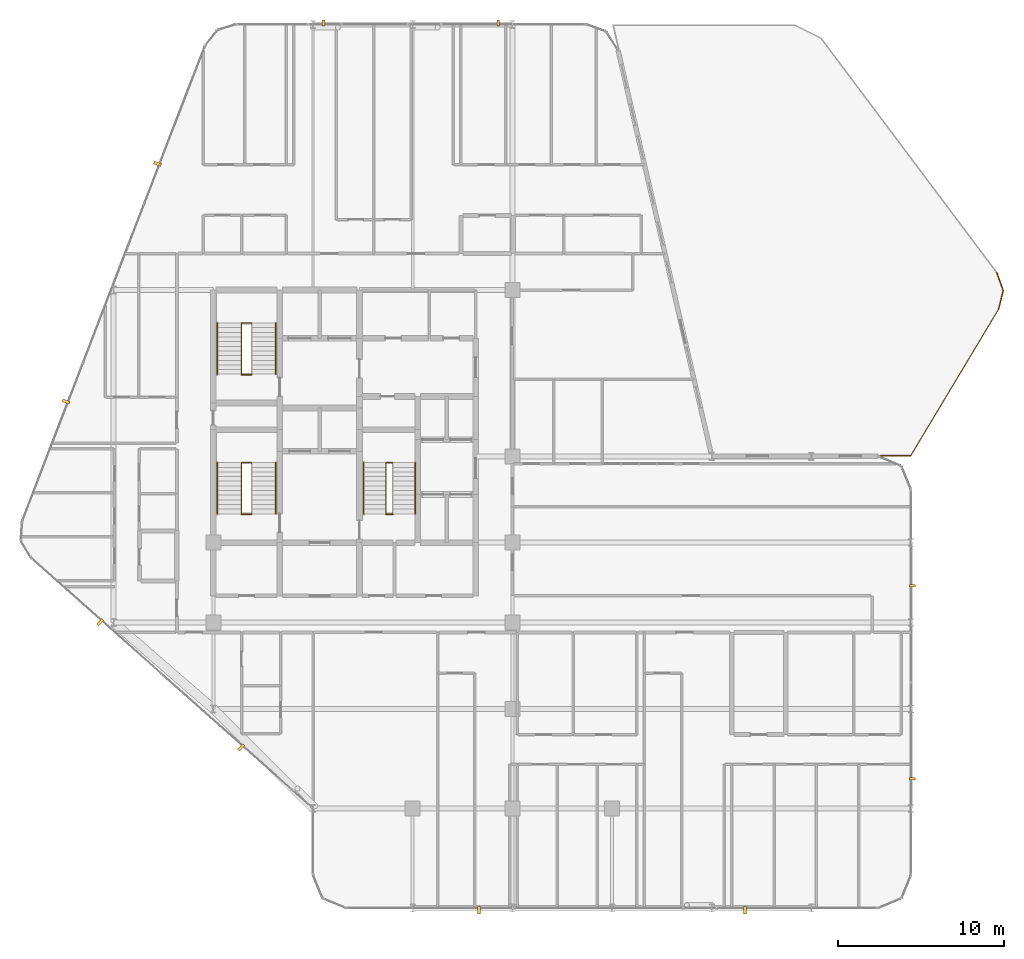
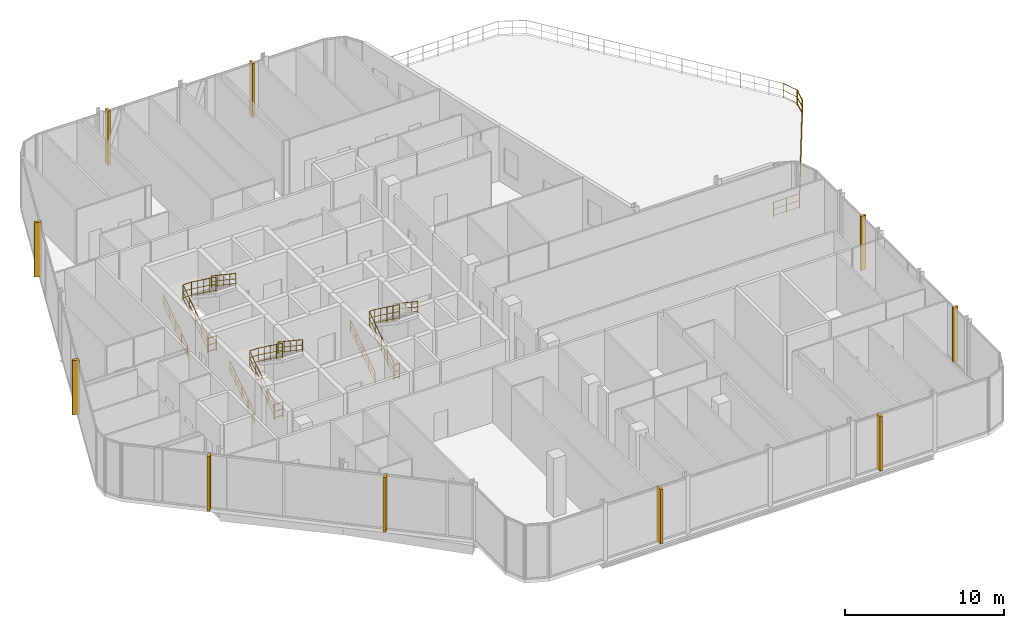
# One storey, part 27 of 28: 16 railings, 10 coverings.
"""IFC4 building model written with IfcOpenShell, lengths in metres."""

from ifc_helpers import new_model, si_unit, direction, frame, origin, origin_2d, place, context, subcontext, project, spatial, rectangle, circle, extrude, material, layer, layer_set, type_object, element, save


model = new_model("IFC4")

# Units and contexts
model_context = context("Model", 3, precision=1e-05, world=origin(), true_north=direction((0.0, 1.0)))
body_context = subcontext(model_context, "Body", "Model", "MODEL_VIEW")
ifc_project = project(units=[si_unit("LENGTHUNIT", "METRE"), si_unit("AREAUNIT", "SQUARE_METRE"), si_unit("VOLUMEUNIT", "CUBIC_METRE"), si_unit("PLANEANGLEUNIT", "RADIAN"), si_unit("MASSUNIT", "GRAM", prefix="KILO")], contexts=[model_context])

# Site, building, storey
site_placement = place(None, origin())
site = spatial("IfcSite", under=ifc_project, at=site_placement, CompositionType="ELEMENT")
building_placement = place(site_placement, origin())
building = spatial("IfcBuilding", under=site, at=building_placement, Name="Keshet Zoharim Tower", CompositionType="ELEMENT")
storey_placement = place(building_placement, frame((0.0, 0.0, 164.60009765625)))
storey = spatial("IfcBuildingStorey", under=building, at=storey_placement, Name="L40", CompositionType="ELEMENT", Elevation=164.60009765625)

# Coverings
ifc_material_1 = material(Name="Concrete C50/60 precast", Category="concrete")
covering_type_1 = type_object("IfcCoveringType", Name="FIN-SOL-360", PredefinedType="CLADDING", material=ifc_material_1)
for number, where, z_axis, x_axis, name in (
    (1, (57.080078125, 20.10009765625, 0.0), (0.0, 0.0, 1.0), (0.0, -1.0, 0.0), "L40 Vertical Precast Solar Fin 01"),
    (2, (57.080078125, 8.5, 0.0), (0.0, 0.0, 1.0), (0.0, -1.0, 0.0), "L40 Vertical Precast Solar Fin 02"),
    (3, (21.633056640625, 53.97998046875, 0.0), (0.0, 0.0, 1.0), (1.0, 0.0, 0.0), "L40 Vertical Precast Solar Fin 09"),
    (4, (32.14990234375, 53.97998046875, 0.0), (0.0, 0.0, 1.0), (1.0, 0.0, 0.0), "L40 Vertical Precast Solar Fin 10"),
):
    element("IfcCovering", number, at=place(storey_placement, frame(where, z_axis=z_axis, x_axis=x_axis)), inside=storey, type_object=covering_type_1, Name=name, PredefinedType="CLADDING", context=body_context, shape_type="SweptSolid", body=[
        extrude(rectangle(XDim=0.159912109375, YDim=0.360107421875, at=origin_2d()), origin(), (0.0, 0.0, 1.0), 4.18994140625),
    ])
covering_type_2 = type_object("IfcCoveringType", Name="FIN-SOL-450", PredefinedType="CLADDING", material=ifc_material_1)
for number, where, z_axis, x_axis, name in (
    (5, (47.0, 0.574951171875, 0.0), (0.0, 0.0, 1.0), (-1.0, 0.0, 0.0), "L40 Vertical Precast Solar Fin 03"),
    (6, (31.0, 0.574951171875, 0.0), (0.0, 0.0, 1.0), (-1.0, 0.0, 0.0), "L40 Vertical Precast Solar Fin 04"),
    (7, (16.676025390625, 10.376953125, 0.0), (0.0, 0.0, 1.0), (-0.747409318679, 0.664363838836, 0.0), "L40 Vertical Precast Solar Fin 05"),
    (8, (8.193115234375, 17.9169921875, 0.0), (0.0, 0.0, 1.0), (-0.747409318679, 0.664363838836, 0.0), "L40 Vertical Precast Solar Fin 06"),
    (9, (6.133056640625, 31.194091796875, 0.0), (0.0, 0.0, 1.0), (0.358990003907, 0.933341404361, 0.0), "L40 Vertical Precast Solar Fin 07"),
    (10, (11.637939453125, 45.507080078125, 0.0), (0.0, 0.0, 1.0), (0.358990003907, 0.933341404361, 0.0), "L40 Vertical Precast Solar Fin 08"),
):
    element("IfcCovering", number, at=place(storey_placement, frame(where, z_axis=z_axis, x_axis=x_axis)), inside=storey, type_object=covering_type_2, Name=name, PredefinedType="CLADDING", context=body_context, shape_type="SweptSolid", body=[
        extrude(rectangle(XDim=0.179931640625, YDim=0.449951171875, at=origin_2d()), origin(), (0.0, 0.0, 1.0), 4.18994140625),
    ])

# Railings
ifc_material_2 = material(Name="Steel S355", Category="steel")
ifc_layer_1 = layer(ifc_material_2, 0.050048828125)
ifc_layer_set_1 = layer_set([ifc_layer_1], Name="Steel S355")
railing_type_1 = type_object("IfcRailingType", Name="RL-HND-092", PredefinedType="HANDRAIL", material=ifc_layer_set_1)
railing_1_placement = place(storey_placement, frame((15.239990234375, 24.43994140625, 0.1875)))
element("IfcRailing", 11, at=railing_1_placement, inside=storey, type_object=railing_type_1, Name="L40 ST-01 Flight 1 Wall Handrail", PredefinedType="HANDRAIL", context=body_context, shape_type="SweptSolid", body=[
    extrude(circle(Radius=0.02392578125, at=origin_2d()), frame((0.0, 0.0, 0.89599609375), z_axis=(0.0, 0.830913701846, 0.55640131208), x_axis=(-1.0, 0.0, 0.0)), (0.0, 0.0, 1.0), 3.706787109375),
    extrude(circle(Radius=0.01611328125, at=origin_2d()), frame((0.0, 0.0, 0.478271484375), z_axis=(0.0, 0.830913701846, 0.55640131208), x_axis=(-1.0, 0.0, 0.0)), (0.0, 0.0, 1.0), 3.706787109375),
    extrude(circle(Radius=0.01611328125, at=origin_2d()), frame((0.0, 0.0, 0.1201171875), z_axis=(0.0, 0.830913701846, 0.55640131208), x_axis=(-1.0, 0.0, 0.0)), (0.0, 0.0, 1.0), 3.706787109375),
    extrude(circle(Radius=0.02099609375, at=origin_2d()), origin(), (0.0, 0.0, 1.0), 0.871826171875),
    extrude(circle(Radius=0.02099609375, at=origin_2d()), frame((0.0, 0.77001953125, 0.515625)), (0.0, 0.0, 1.0), 0.871826171875),
    extrude(circle(Radius=0.02099609375, at=origin_2d()), frame((0.0, 1.5400390625, 1.03125)), (0.0, 0.0, 1.0), 0.871826171875),
    extrude(circle(Radius=0.02099609375, at=origin_2d()), frame((0.0, 2.31005859375, 1.546875)), (0.0, 0.0, 1.0), 0.871826171875),
    extrude(circle(Radius=0.02099609375, at=origin_2d()), frame((0.0, 3.080078125, 2.0625)), (0.0, 0.0, 1.0), 0.871826171875),
])
railing_2_placement = place(storey_placement, frame((18.760009765625, 27.52001953125, 2.4375)))
element("IfcRailing", 12, at=railing_2_placement, inside=storey, type_object=railing_type_1, Name="L40 ST-01 Flight 2 Wall Handrail", PredefinedType="HANDRAIL", context=body_context, shape_type="SweptSolid", body=[
    extrude(circle(Radius=0.02392578125, at=origin_2d()), frame((0.0, 0.0, 0.89599609375), z_axis=(0.0, -0.830913701846, 0.55640131208), x_axis=(1.0, 0.0, 0.0)), (0.0, 0.0, 1.0), 3.706787109375),
    extrude(circle(Radius=0.01611328125, at=origin_2d()), frame((0.0, 0.0, 0.478271484375), z_axis=(0.0, -0.830913701846, 0.55640131208), x_axis=(1.0, 0.0, 0.0)), (0.0, 0.0, 1.0), 3.706787109375),
    extrude(circle(Radius=0.01611328125, at=origin_2d()), frame((0.0, 0.0, 0.1201171875), z_axis=(0.0, -0.830913701846, 0.55640131208), x_axis=(1.0, 0.0, 0.0)), (0.0, 0.0, 1.0), 3.706787109375),
    extrude(circle(Radius=0.02099609375, at=origin_2d()), origin(), (0.0, 0.0, 1.0), 0.871826171875),
    extrude(circle(Radius=0.02099609375, at=origin_2d()), frame((0.0, -0.77001953125, 0.515625)), (0.0, 0.0, 1.0), 0.871826171875),
    extrude(circle(Radius=0.02099609375, at=origin_2d()), frame((0.0, -1.5400390625, 1.03125)), (0.0, 0.0, 1.0), 0.871826171875),
    extrude(circle(Radius=0.02099609375, at=origin_2d()), frame((0.0, -2.31005859375, 1.546875)), (0.0, 0.0, 1.0), 0.871826171875),
    extrude(circle(Radius=0.02099609375, at=origin_2d()), frame((0.0, -3.080078125, 2.0625)), (0.0, 0.0, 1.0), 0.871826171875),
])
railing_3_placement = place(storey_placement, frame((15.239990234375, 32.840087890625, 0.1875)))
element("IfcRailing", 13, at=railing_3_placement, inside=storey, type_object=railing_type_1, Name="L40 ST-02 Flight 1 Wall Handrail", PredefinedType="HANDRAIL", context=body_context, shape_type="SweptSolid", body=[
    extrude(circle(Radius=0.02392578125, at=origin_2d()), frame((0.0, 0.0, 0.89599609375), z_axis=(0.0, 0.830893310487, 0.556431762742), x_axis=(-1.0, 0.0, 0.0)), (0.0, 0.0, 1.0), 3.70654296875),
    extrude(circle(Radius=0.01611328125, at=origin_2d()), frame((0.0, 0.0, 0.478271484375), z_axis=(0.0, 0.830893310487, 0.556431762742), x_axis=(-1.0, 0.0, 0.0)), (0.0, 0.0, 1.0), 3.70654296875),
    extrude(circle(Radius=0.01611328125, at=origin_2d()), frame((0.0, 0.0, 0.1201171875), z_axis=(0.0, 0.830893310487, 0.556431762742), x_axis=(-1.0, 0.0, 0.0)), (0.0, 0.0, 1.0), 3.70654296875),
    extrude(circle(Radius=0.02099609375, at=origin_2d()), origin(), (0.0, 0.0, 1.0), 0.871826171875),
    extrude(circle(Radius=0.02099609375, at=origin_2d()), frame((0.0, 0.77001953125, 0.515625)), (0.0, 0.0, 1.0), 0.871826171875),
    extrude(circle(Radius=0.02099609375, at=origin_2d()), frame((0.0, 1.5400390625, 1.03125)), (0.0, 0.0, 1.0), 0.871826171875),
    extrude(circle(Radius=0.02099609375, at=origin_2d()), frame((0.0, 2.309814453125, 1.546875)), (0.0, 0.0, 1.0), 0.871826171875),
    extrude(circle(Radius=0.02099609375, at=origin_2d()), frame((0.0, 3.079833984375, 2.0625)), (0.0, 0.0, 1.0), 0.871826171875),
])
railing_4_placement = place(storey_placement, frame((18.760009765625, 35.919921875, 2.4375)))
element("IfcRailing", 14, at=railing_4_placement, inside=storey, type_object=railing_type_1, Name="L40 ST-02 Flight 2 Wall Handrail", PredefinedType="HANDRAIL", context=body_context, shape_type="SweptSolid", body=[
    extrude(circle(Radius=0.02392578125, at=origin_2d()), frame((0.0, 0.0, 0.89599609375), z_axis=(0.0, -0.830893310487, 0.556431762742), x_axis=(1.0, 0.0, 0.0)), (0.0, 0.0, 1.0), 3.70654296875),
    extrude(circle(Radius=0.01611328125, at=origin_2d()), frame((0.0, 0.0, 0.478271484375), z_axis=(0.0, -0.830893310487, 0.556431762742), x_axis=(1.0, 0.0, 0.0)), (0.0, 0.0, 1.0), 3.70654296875),
    extrude(circle(Radius=0.01611328125, at=origin_2d()), frame((0.0, 0.0, 0.1201171875), z_axis=(0.0, -0.830893310487, 0.556431762742), x_axis=(1.0, 0.0, 0.0)), (0.0, 0.0, 1.0), 3.70654296875),
    extrude(circle(Radius=0.02099609375, at=origin_2d()), origin(), (0.0, 0.0, 1.0), 0.871826171875),
    extrude(circle(Radius=0.02099609375, at=origin_2d()), frame((0.0, -0.77001953125, 0.515625)), (0.0, 0.0, 1.0), 0.871826171875),
    extrude(circle(Radius=0.02099609375, at=origin_2d()), frame((0.0, -1.5400390625, 1.03125)), (0.0, 0.0, 1.0), 0.871826171875),
    extrude(circle(Radius=0.02099609375, at=origin_2d()), frame((0.0, -2.309814453125, 1.546875)), (0.0, 0.0, 1.0), 0.871826171875),
    extrude(circle(Radius=0.02099609375, at=origin_2d()), frame((0.0, -3.079833984375, 2.0625)), (0.0, 0.0, 1.0), 0.871826171875),
])
railing_5_placement = place(storey_placement, frame((24.0400390625, 24.43994140625, 0.1875)))
element("IfcRailing", 15, at=railing_5_placement, inside=storey, type_object=railing_type_1, Name="L40 ST-03 Flight 1 Wall Handrail", PredefinedType="HANDRAIL", context=body_context, shape_type="SweptSolid", body=[
    extrude(circle(Radius=0.02392578125, at=origin_2d()), frame((0.0, 0.0, 0.89599609375), z_axis=(0.0, 0.830913701846, 0.55640131208), x_axis=(-1.0, 0.0, 0.0)), (0.0, 0.0, 1.0), 3.706787109375),
    extrude(circle(Radius=0.01611328125, at=origin_2d()), frame((0.0, 0.0, 0.478271484375), z_axis=(0.0, 0.830913701846, 0.55640131208), x_axis=(-1.0, 0.0, 0.0)), (0.0, 0.0, 1.0), 3.706787109375),
    extrude(circle(Radius=0.01611328125, at=origin_2d()), frame((0.0, 0.0, 0.1201171875), z_axis=(0.0, 0.830913701846, 0.55640131208), x_axis=(-1.0, 0.0, 0.0)), (0.0, 0.0, 1.0), 3.706787109375),
    extrude(circle(Radius=0.02099609375, at=origin_2d()), origin(), (0.0, 0.0, 1.0), 0.871826171875),
    extrude(circle(Radius=0.02099609375, at=origin_2d()), frame((0.0, 0.77001953125, 0.515625)), (0.0, 0.0, 1.0), 0.871826171875),
    extrude(circle(Radius=0.02099609375, at=origin_2d()), frame((0.0, 1.5400390625, 1.03125)), (0.0, 0.0, 1.0), 0.871826171875),
    extrude(circle(Radius=0.02099609375, at=origin_2d()), frame((0.0, 2.31005859375, 1.546875)), (0.0, 0.0, 1.0), 0.871826171875),
    extrude(circle(Radius=0.02099609375, at=origin_2d()), frame((0.0, 3.080078125, 2.0625)), (0.0, 0.0, 1.0), 0.871826171875),
])
railing_6_placement = place(storey_placement, frame((27.159912109375, 27.52001953125, 2.4375)))
element("IfcRailing", 16, at=railing_6_placement, inside=storey, type_object=railing_type_1, Name="L40 ST-03 Flight 2 Wall Handrail", PredefinedType="HANDRAIL", context=body_context, shape_type="SweptSolid", body=[
    extrude(circle(Radius=0.02392578125, at=origin_2d()), frame((0.0, 0.0, 0.89599609375), z_axis=(0.0, -0.830913701846, 0.55640131208), x_axis=(1.0, 0.0, 0.0)), (0.0, 0.0, 1.0), 3.706787109375),
    extrude(circle(Radius=0.01611328125, at=origin_2d()), frame((0.0, 0.0, 0.478271484375), z_axis=(0.0, -0.830913701846, 0.55640131208), x_axis=(1.0, 0.0, 0.0)), (0.0, 0.0, 1.0), 3.706787109375),
    extrude(circle(Radius=0.01611328125, at=origin_2d()), frame((0.0, 0.0, 0.1201171875), z_axis=(0.0, -0.830913701846, 0.55640131208), x_axis=(1.0, 0.0, 0.0)), (0.0, 0.0, 1.0), 3.706787109375),
    extrude(circle(Radius=0.02099609375, at=origin_2d()), origin(), (0.0, 0.0, 1.0), 0.871826171875),
    extrude(circle(Radius=0.02099609375, at=origin_2d()), frame((0.0, -0.77001953125, 0.515625)), (0.0, 0.0, 1.0), 0.871826171875),
    extrude(circle(Radius=0.02099609375, at=origin_2d()), frame((0.0, -1.5400390625, 1.03125)), (0.0, 0.0, 1.0), 0.871826171875),
    extrude(circle(Radius=0.02099609375, at=origin_2d()), frame((0.0, -2.31005859375, 1.546875)), (0.0, 0.0, 1.0), 0.871826171875),
    extrude(circle(Radius=0.02099609375, at=origin_2d()), frame((0.0, -3.080078125, 2.0625)), (0.0, 0.0, 1.0), 0.871826171875),
])
ifc_layer_2 = layer(ifc_material_2, 0.06005859375)
ifc_layer_set_2 = layer_set([ifc_layer_2], Name="Steel S355")
railing_type_2 = type_object("IfcRailingType", Name="RL-STG-115", PredefinedType="GUARDRAIL", material=ifc_layer_set_2)
railing_7_placement = place(storey_placement, frame((16.68994140625, 24.43994140625, 0.1875)))
element("IfcRailing", 17, at=railing_7_placement, inside=storey, type_object=railing_type_2, Name="L40 ST-01 Inner Well Guardrail", PredefinedType="GUARDRAIL", context=body_context, shape_type="SweptSolid", body=[
    extrude(circle(Radius=0.02392578125, at=origin_2d()), frame((0.0, 0.0, 1.1259765625), z_axis=(0.0, 0.830913701846, 0.55640131208), x_axis=(-1.0, 0.0, 0.0)), (0.0, 0.0, 1.0), 3.706787109375),
    extrude(circle(Radius=0.01611328125, at=origin_2d()), frame((0.0, 0.0, 0.597900390625), z_axis=(0.0, 0.830913701846, 0.55640131208), x_axis=(-1.0, 0.0, 0.0)), (0.0, 0.0, 1.0), 3.706787109375),
    extrude(circle(Radius=0.01611328125, at=origin_2d()), frame((0.0, 0.0, 0.1201171875), z_axis=(0.0, 0.830913701846, 0.55640131208), x_axis=(-1.0, 0.0, 0.0)), (0.0, 0.0, 1.0), 3.706787109375),
    extrude(circle(Radius=0.02392578125, at=origin_2d()), frame((0.0, 3.080078125, 3.1884765625), z_axis=(1.0, 0.0, 0.0), x_axis=(0.0, 1.0, 0.0)), (0.0, 0.0, 1.0), 0.6201171875),
    extrude(circle(Radius=0.01611328125, at=origin_2d()), frame((0.0, 3.080078125, 2.660400390625), z_axis=(1.0, 0.0, 0.0), x_axis=(0.0, 1.0, 0.0)), (0.0, 0.0, 1.0), 0.6201171875),
    extrude(circle(Radius=0.01611328125, at=origin_2d()), frame((0.0, 3.080078125, 2.1826171875), z_axis=(1.0, 0.0, 0.0), x_axis=(0.0, 1.0, 0.0)), (0.0, 0.0, 1.0), 0.6201171875),
    extrude(circle(Radius=0.02392578125, at=origin_2d()), frame((0.6201171875, 3.080078125, 3.1884765625), z_axis=(0.0, -0.807494308864, 0.589875360692), x_axis=(1.0, 0.0, 0.0)), (0.0, 0.0, 1.0), 3.814453125),
    extrude(circle(Radius=0.01611328125, at=origin_2d()), frame((0.6201171875, 3.080078125, 2.660400390625), z_axis=(0.0, -0.807494308864, 0.589875360692), x_axis=(1.0, 0.0, 0.0)), (0.0, 0.0, 1.0), 3.814453125),
    extrude(circle(Radius=0.01611328125, at=origin_2d()), frame((0.6201171875, 3.080078125, 2.1826171875), z_axis=(0.0, -0.807494308864, 0.589875360692), x_axis=(1.0, 0.0, 0.0)), (0.0, 0.0, 1.0), 3.814453125),
    extrude(circle(Radius=0.02099609375, at=origin_2d()), origin(), (0.0, 0.0, 1.0), 1.101806640625),
    extrude(circle(Radius=0.02099609375, at=origin_2d()), frame((0.0, 0.77001953125, 0.515625)), (0.0, 0.0, 1.0), 1.101806640625),
    extrude(circle(Radius=0.02099609375, at=origin_2d()), frame((0.0, 1.5400390625, 1.03125)), (0.0, 0.0, 1.0), 1.101806640625),
    extrude(circle(Radius=0.02099609375, at=origin_2d()), frame((0.0, 2.31005859375, 1.546875)), (0.0, 0.0, 1.0), 1.101806640625),
    extrude(circle(Radius=0.02099609375, at=origin_2d()), frame((0.0, 3.080078125, 2.0625)), (0.0, 0.0, 1.0), 1.101806640625),
    extrude(circle(Radius=0.02099609375, at=origin_2d()), frame((0.6201171875, 3.080078125, 2.0625)), (0.0, 0.0, 1.0), 1.101806640625),
    extrude(circle(Radius=0.02099609375, at=origin_2d()), frame((0.6201171875, 2.31005859375, 2.625)), (0.0, 0.0, 1.0), 1.101806640625),
    extrude(circle(Radius=0.02099609375, at=origin_2d()), frame((0.6201171875, 1.5400390625, 3.1875)), (0.0, 0.0, 1.0), 1.101806640625),
    extrude(circle(Radius=0.02099609375, at=origin_2d()), frame((0.6201171875, 0.77001953125, 3.75)), (0.0, 0.0, 1.0), 1.101806640625),
    extrude(circle(Radius=0.02099609375, at=origin_2d()), frame((0.6201171875, 0.0, 4.3125)), (0.0, 0.0, 1.0), 1.101806640625),
])
railing_8_placement = place(storey_placement, frame((16.68994140625, 24.409912109375, 0.0)))
element("IfcRailing", 18, at=railing_8_placement, inside=storey, type_object=railing_type_2, Name="L40 ST-01 Stairwell Floor Guardrail", PredefinedType="GUARDRAIL", context=body_context, shape_type="SweptSolid", body=[
    extrude(circle(Radius=0.02392578125, at=origin_2d()), frame((0.0, 0.0, 1.1259765625), z_axis=(1.0, 0.0, 0.0), x_axis=(0.0, 1.0, 0.0)), (0.0, 0.0, 1.0), 0.6201171875),
    extrude(circle(Radius=0.01611328125, at=origin_2d()), frame((0.0, 0.0, 0.597900390625), z_axis=(1.0, 0.0, 0.0), x_axis=(0.0, 1.0, 0.0)), (0.0, 0.0, 1.0), 0.6201171875),
    extrude(circle(Radius=0.01611328125, at=origin_2d()), frame((0.0, 0.0, 0.1201171875), z_axis=(1.0, 0.0, 0.0), x_axis=(0.0, 1.0, 0.0)), (0.0, 0.0, 1.0), 0.6201171875),
    extrude(circle(Radius=0.02099609375, at=origin_2d()), origin(), (0.0, 0.0, 1.0), 1.101806640625),
    extrude(circle(Radius=0.02099609375, at=origin_2d()), frame((0.6201171875, 0.0, 0.0)), (0.0, 0.0, 1.0), 1.101806640625),
])
railing_9_placement = place(storey_placement, frame((16.68994140625, 32.840087890625, 0.1875)))
element("IfcRailing", 19, at=railing_9_placement, inside=storey, type_object=railing_type_2, Name="L40 ST-02 Inner Well Guardrail", PredefinedType="GUARDRAIL", context=body_context, shape_type="SweptSolid", body=[
    extrude(circle(Radius=0.02392578125, at=origin_2d()), frame((0.0, 0.0, 1.1259765625), z_axis=(0.0, 0.830893310487, 0.556431762742), x_axis=(-1.0, 0.0, 0.0)), (0.0, 0.0, 1.0), 3.70654296875),
    extrude(circle(Radius=0.01611328125, at=origin_2d()), frame((0.0, 0.0, 0.597900390625), z_axis=(0.0, 0.830893310487, 0.556431762742), x_axis=(-1.0, 0.0, 0.0)), (0.0, 0.0, 1.0), 3.70654296875),
    extrude(circle(Radius=0.01611328125, at=origin_2d()), frame((0.0, 0.0, 0.1201171875), z_axis=(0.0, 0.830893310487, 0.556431762742), x_axis=(-1.0, 0.0, 0.0)), (0.0, 0.0, 1.0), 3.70654296875),
    extrude(circle(Radius=0.02392578125, at=origin_2d()), frame((0.0, 3.079833984375, 3.1884765625), z_axis=(1.0, 0.0, 0.0), x_axis=(0.0, 1.0, 0.0)), (0.0, 0.0, 1.0), 0.6201171875),
    extrude(circle(Radius=0.01611328125, at=origin_2d()), frame((0.0, 3.079833984375, 2.660400390625), z_axis=(1.0, 0.0, 0.0), x_axis=(0.0, 1.0, 0.0)), (0.0, 0.0, 1.0), 0.6201171875),
    extrude(circle(Radius=0.01611328125, at=origin_2d()), frame((0.0, 3.079833984375, 2.1826171875), z_axis=(1.0, 0.0, 0.0), x_axis=(0.0, 1.0, 0.0)), (0.0, 0.0, 1.0), 0.6201171875),
    extrude(circle(Radius=0.02392578125, at=origin_2d()), frame((0.6201171875, 3.079833984375, 3.1884765625), z_axis=(0.0, -0.80747203621, 0.589905849046), x_axis=(1.0, 0.0, 0.0)), (0.0, 0.0, 1.0), 3.814208984375),
    extrude(circle(Radius=0.01611328125, at=origin_2d()), frame((0.6201171875, 3.079833984375, 2.660400390625), z_axis=(0.0, -0.80747203621, 0.589905849046), x_axis=(1.0, 0.0, 0.0)), (0.0, 0.0, 1.0), 3.814208984375),
    extrude(circle(Radius=0.01611328125, at=origin_2d()), frame((0.6201171875, 3.079833984375, 2.1826171875), z_axis=(0.0, -0.80747203621, 0.589905849046), x_axis=(1.0, 0.0, 0.0)), (0.0, 0.0, 1.0), 3.814208984375),
    extrude(circle(Radius=0.02099609375, at=origin_2d()), origin(), (0.0, 0.0, 1.0), 1.101806640625),
    extrude(circle(Radius=0.02099609375, at=origin_2d()), frame((0.0, 0.77001953125, 0.515625)), (0.0, 0.0, 1.0), 1.101806640625),
    extrude(circle(Radius=0.02099609375, at=origin_2d()), frame((0.0, 1.5400390625, 1.03125)), (0.0, 0.0, 1.0), 1.101806640625),
    extrude(circle(Radius=0.02099609375, at=origin_2d()), frame((0.0, 2.309814453125, 1.546875)), (0.0, 0.0, 1.0), 1.101806640625),
    extrude(circle(Radius=0.02099609375, at=origin_2d()), frame((0.0, 3.079833984375, 2.0625)), (0.0, 0.0, 1.0), 1.101806640625),
    extrude(circle(Radius=0.02099609375, at=origin_2d()), frame((0.6201171875, 3.079833984375, 2.0625)), (0.0, 0.0, 1.0), 1.101806640625),
    extrude(circle(Radius=0.02099609375, at=origin_2d()), frame((0.6201171875, 2.309814453125, 2.625)), (0.0, 0.0, 1.0), 1.101806640625),
    extrude(circle(Radius=0.02099609375, at=origin_2d()), frame((0.6201171875, 1.5400390625, 3.1875)), (0.0, 0.0, 1.0), 1.101806640625),
    extrude(circle(Radius=0.02099609375, at=origin_2d()), frame((0.6201171875, 0.77001953125, 3.75)), (0.0, 0.0, 1.0), 1.101806640625),
    extrude(circle(Radius=0.02099609375, at=origin_2d()), frame((0.6201171875, 0.0, 4.3125)), (0.0, 0.0, 1.0), 1.101806640625),
])
railing_10_placement = place(storey_placement, frame((16.68994140625, 32.81005859375, 0.0)))
element("IfcRailing", 20, at=railing_10_placement, inside=storey, type_object=railing_type_2, Name="L40 ST-02 Stairwell Floor Guardrail", PredefinedType="GUARDRAIL", context=body_context, shape_type="SweptSolid", body=[
    extrude(circle(Radius=0.02392578125, at=origin_2d()), frame((0.0, 0.0, 1.1259765625), z_axis=(1.0, 0.0, 0.0), x_axis=(0.0, 1.0, 0.0)), (0.0, 0.0, 1.0), 0.6201171875),
    extrude(circle(Radius=0.01611328125, at=origin_2d()), frame((0.0, 0.0, 0.597900390625), z_axis=(1.0, 0.0, 0.0), x_axis=(0.0, 1.0, 0.0)), (0.0, 0.0, 1.0), 0.6201171875),
    extrude(circle(Radius=0.01611328125, at=origin_2d()), frame((0.0, 0.0, 0.1201171875), z_axis=(1.0, 0.0, 0.0), x_axis=(0.0, 1.0, 0.0)), (0.0, 0.0, 1.0), 0.6201171875),
    extrude(circle(Radius=0.02099609375, at=origin_2d()), origin(), (0.0, 0.0, 1.0), 1.101806640625),
    extrude(circle(Radius=0.02099609375, at=origin_2d()), frame((0.6201171875, 0.0, 0.0)), (0.0, 0.0, 1.0), 1.101806640625),
])
railing_11_placement = place(storey_placement, frame((25.39990234375, 24.43994140625, 0.1875)))
element("IfcRailing", 21, at=railing_11_placement, inside=storey, type_object=railing_type_2, Name="L40 ST-03 Inner Well Guardrail", PredefinedType="GUARDRAIL", context=body_context, shape_type="SweptSolid", body=[
    extrude(circle(Radius=0.02392578125, at=origin_2d()), frame((0.0, 0.0, 1.1259765625), z_axis=(0.0, 0.830913701846, 0.55640131208), x_axis=(-1.0, 0.0, 0.0)), (0.0, 0.0, 1.0), 3.706787109375),
    extrude(circle(Radius=0.01611328125, at=origin_2d()), frame((0.0, 0.0, 0.597900390625), z_axis=(0.0, 0.830913701846, 0.55640131208), x_axis=(-1.0, 0.0, 0.0)), (0.0, 0.0, 1.0), 3.706787109375),
    extrude(circle(Radius=0.01611328125, at=origin_2d()), frame((0.0, 0.0, 0.1201171875), z_axis=(0.0, 0.830913701846, 0.55640131208), x_axis=(-1.0, 0.0, 0.0)), (0.0, 0.0, 1.0), 3.706787109375),
    extrude(circle(Radius=0.02392578125, at=origin_2d()), frame((0.0, 3.080078125, 3.1884765625), z_axis=(1.0, 0.0, 0.0), x_axis=(0.0, 1.0, 0.0)), (0.0, 0.0, 1.0), 0.400146484375),
    extrude(circle(Radius=0.01611328125, at=origin_2d()), frame((0.0, 3.080078125, 2.660400390625), z_axis=(1.0, 0.0, 0.0), x_axis=(0.0, 1.0, 0.0)), (0.0, 0.0, 1.0), 0.400146484375),
    extrude(circle(Radius=0.01611328125, at=origin_2d()), frame((0.0, 3.080078125, 2.1826171875), z_axis=(1.0, 0.0, 0.0), x_axis=(0.0, 1.0, 0.0)), (0.0, 0.0, 1.0), 0.400146484375),
    extrude(circle(Radius=0.02392578125, at=origin_2d()), frame((0.400146484375, 3.080078125, 3.1884765625), z_axis=(0.0, -0.807494308864, 0.589875360692), x_axis=(1.0, 0.0, 0.0)), (0.0, 0.0, 1.0), 3.814453125),
    extrude(circle(Radius=0.01611328125, at=origin_2d()), frame((0.400146484375, 3.080078125, 2.660400390625), z_axis=(0.0, -0.807494308864, 0.589875360692), x_axis=(1.0, 0.0, 0.0)), (0.0, 0.0, 1.0), 3.814453125),
    extrude(circle(Radius=0.01611328125, at=origin_2d()), frame((0.400146484375, 3.080078125, 2.1826171875), z_axis=(0.0, -0.807494308864, 0.589875360692), x_axis=(1.0, 0.0, 0.0)), (0.0, 0.0, 1.0), 3.814453125),
    extrude(circle(Radius=0.02099609375, at=origin_2d()), origin(), (0.0, 0.0, 1.0), 1.101806640625),
    extrude(circle(Radius=0.02099609375, at=origin_2d()), frame((0.0, 0.77001953125, 0.515625)), (0.0, 0.0, 1.0), 1.101806640625),
    extrude(circle(Radius=0.02099609375, at=origin_2d()), frame((0.0, 1.5400390625, 1.03125)), (0.0, 0.0, 1.0), 1.101806640625),
    extrude(circle(Radius=0.02099609375, at=origin_2d()), frame((0.0, 2.31005859375, 1.546875)), (0.0, 0.0, 1.0), 1.101806640625),
    extrude(circle(Radius=0.02099609375, at=origin_2d()), frame((0.0, 3.080078125, 2.0625)), (0.0, 0.0, 1.0), 1.101806640625),
    extrude(circle(Radius=0.02099609375, at=origin_2d()), frame((0.400146484375, 3.080078125, 2.0625)), (0.0, 0.0, 1.0), 1.101806640625),
    extrude(circle(Radius=0.02099609375, at=origin_2d()), frame((0.400146484375, 2.31005859375, 2.625)), (0.0, 0.0, 1.0), 1.101806640625),
    extrude(circle(Radius=0.02099609375, at=origin_2d()), frame((0.400146484375, 1.5400390625, 3.1875)), (0.0, 0.0, 1.0), 1.101806640625),
    extrude(circle(Radius=0.02099609375, at=origin_2d()), frame((0.400146484375, 0.77001953125, 3.75)), (0.0, 0.0, 1.0), 1.101806640625),
    extrude(circle(Radius=0.02099609375, at=origin_2d()), frame((0.400146484375, 0.0, 4.3125)), (0.0, 0.0, 1.0), 1.101806640625),
])
railing_12_placement = place(storey_placement, frame((25.39990234375, 24.409912109375, 0.0)))
element("IfcRailing", 22, at=railing_12_placement, inside=storey, type_object=railing_type_2, Name="L40 ST-03 Stairwell Floor Guardrail", PredefinedType="GUARDRAIL", context=body_context, shape_type="SweptSolid", body=[
    extrude(circle(Radius=0.02392578125, at=origin_2d()), frame((0.0, 0.0, 1.1259765625), z_axis=(1.0, 0.0, 0.0), x_axis=(0.0, 1.0, 0.0)), (0.0, 0.0, 1.0), 0.400146484375),
    extrude(circle(Radius=0.01611328125, at=origin_2d()), frame((0.0, 0.0, 0.597900390625), z_axis=(1.0, 0.0, 0.0), x_axis=(0.0, 1.0, 0.0)), (0.0, 0.0, 1.0), 0.400146484375),
    extrude(circle(Radius=0.01611328125, at=origin_2d()), frame((0.0, 0.0, 0.1201171875), z_axis=(1.0, 0.0, 0.0), x_axis=(0.0, 1.0, 0.0)), (0.0, 0.0, 1.0), 0.400146484375),
    extrude(circle(Radius=0.02099609375, at=origin_2d()), origin(), (0.0, 0.0, 1.0), 1.101806640625),
    extrude(circle(Radius=0.02099609375, at=origin_2d()), frame((0.400146484375, 0.0, 0.0)), (0.0, 0.0, 1.0), 1.101806640625),
])
ifc_layer_3 = layer(ifc_material_2, 0.070068359375)
ifc_layer_set_3 = layer_set([ifc_layer_3], Name="Steel S355")
railing_type_3 = type_object("IfcRailingType", Name="RL-TER-115", PredefinedType="GUARDRAIL", material=ifc_layer_set_3)
railing_13_placement = place(storey_placement, frame((62.156982421875, 38.95703125, 0.0)))
element("IfcRailing", 23, at=railing_13_placement, inside=storey, type_object=railing_type_3, Name="L40 Terrace Perimeter Guardrail 06", PredefinedType="GUARDRAIL", context=body_context, shape_type="SweptSolid", body=[
    extrude(circle(Radius=0.02392578125, at=origin_2d()), frame((0.0, 0.0, 1.1259765625), z_axis=(0.340479959497, -0.940251773293, 0.0), x_axis=(0.940251773293, 0.340479959497, 0.0)), (0.0, 0.0, 1.0), 1.148681640625),
    extrude(circle(Radius=0.01611328125, at=origin_2d()), frame((0.0, 0.0, 0.597900390625), z_axis=(0.340479959497, -0.940251773293, 0.0), x_axis=(0.940251773293, 0.340479959497, 0.0)), (0.0, 0.0, 1.0), 1.148681640625),
    extrude(circle(Radius=0.01611328125, at=origin_2d()), frame((0.0, 0.0, 0.1201171875), z_axis=(0.340479959497, -0.940251773293, 0.0), x_axis=(0.940251773293, 0.340479959497, 0.0)), (0.0, 0.0, 1.0), 1.148681640625),
    extrude(circle(Radius=0.02099609375, at=origin_2d()), origin(), (0.0, 0.0, 1.0), 1.101806640625),
    extrude(circle(Radius=0.02099609375, at=origin_2d()), frame((0.39111328125, -1.080078125, 0.0)), (0.0, 0.0, 1.0), 1.101806640625),
])
railing_14_placement = place(storey_placement, frame((62.548095703125, 37.876953125, 0.0)))
element("IfcRailing", 24, at=railing_14_placement, inside=storey, type_object=railing_type_3, Name="L40 Terrace Perimeter Guardrail 07", PredefinedType="GUARDRAIL", context=body_context, shape_type="SweptSolid", body=[
    extrude(circle(Radius=0.02392578125, at=origin_2d()), frame((0.0, 0.0, 1.1259765625), z_axis=(-0.24118540196, -0.97047905793, 0.0), x_axis=(0.97047905793, -0.24118540196, 0.0)), (0.0, 0.0, 1.0), 1.14892578125),
    extrude(circle(Radius=0.01611328125, at=origin_2d()), frame((0.0, 0.0, 0.597900390625), z_axis=(-0.24118540196, -0.97047905793, 0.0), x_axis=(0.97047905793, -0.24118540196, 0.0)), (0.0, 0.0, 1.0), 1.14892578125),
    extrude(circle(Radius=0.01611328125, at=origin_2d()), frame((0.0, 0.0, 0.1201171875), z_axis=(-0.24118540196, -0.97047905793, 0.0), x_axis=(0.97047905793, -0.24118540196, 0.0)), (0.0, 0.0, 1.0), 1.14892578125),
    extrude(circle(Radius=0.02099609375, at=origin_2d()), origin(), (0.0, 0.0, 1.0), 1.101806640625),
    extrude(circle(Radius=0.02099609375, at=origin_2d()), frame((-0.277099609375, -1.114990234375, 0.0)), (0.0, 0.0, 1.0), 1.101806640625),
])
railing_15_placement = place(storey_placement, frame((62.27099609375, 36.761962890625, 0.0)))
element("IfcRailing", 25, at=railing_15_placement, inside=storey, type_object=railing_type_3, Name="L40 Terrace Perimeter Guardrail 08", PredefinedType="GUARDRAIL", context=body_context, shape_type="SweptSolid", body=[
    extrude(circle(Radius=0.02392578125, at=origin_2d()), frame((0.0, 0.0, 1.1259765625), z_axis=(-0.514548098712, -0.857461517569, 0.0), x_axis=(0.857461517569, -0.514548098712, 0.0)), (0.0, 0.0, 1.0), 10.28857421875),
    extrude(circle(Radius=0.01611328125, at=origin_2d()), frame((0.0, 0.0, 0.597900390625), z_axis=(-0.514548098712, -0.857461517569, 0.0), x_axis=(0.857461517569, -0.514548098712, 0.0)), (0.0, 0.0, 1.0), 10.28857421875),
    extrude(circle(Radius=0.01611328125, at=origin_2d()), frame((0.0, 0.0, 0.1201171875), z_axis=(-0.514548098712, -0.857461517569, 0.0), x_axis=(0.857461517569, -0.514548098712, 0.0)), (0.0, 0.0, 1.0), 10.28857421875),
    extrude(circle(Radius=0.02099609375, at=origin_2d()), origin(), (0.0, 0.0, 1.0), 1.101806640625),
    extrude(circle(Radius=0.02099609375, at=origin_2d()), frame((-0.588134765625, -0.980224609375, 0.0)), (0.0, 0.0, 1.0), 1.101806640625),
    extrude(circle(Radius=0.02099609375, at=origin_2d()), frame((-1.176513671875, -1.96044921875, 0.0)), (0.0, 0.0, 1.0), 1.101806640625),
    extrude(circle(Radius=0.02099609375, at=origin_2d()), frame((-1.7646484375, -2.940673828125, 0.0)), (0.0, 0.0, 1.0), 1.101806640625),
    extrude(circle(Radius=0.02099609375, at=origin_2d()), frame((-2.352783203125, -3.9208984375, 0.0)), (0.0, 0.0, 1.0), 1.101806640625),
    extrude(circle(Radius=0.02099609375, at=origin_2d()), frame((-2.941162109375, -4.901123046875, 0.0)), (0.0, 0.0, 1.0), 1.101806640625),
    extrude(circle(Radius=0.02099609375, at=origin_2d()), frame((-3.529296875, -5.88134765625, 0.0)), (0.0, 0.0, 1.0), 1.101806640625),
    extrude(circle(Radius=0.02099609375, at=origin_2d()), frame((-4.117431640625, -6.861572265625, 0.0)), (0.0, 0.0, 1.0), 1.101806640625),
    extrude(circle(Radius=0.02099609375, at=origin_2d()), frame((-4.705810546875, -7.841796875, 0.0)), (0.0, 0.0, 1.0), 1.101806640625),
    extrude(circle(Radius=0.02099609375, at=origin_2d()), frame((-5.2939453125, -8.822021484375, 0.0)), (0.0, 0.0, 1.0), 1.101806640625),
])
railing_16_placement = place(storey_placement, frame((56.97705078125, 27.93994140625, 0.0)))
element("IfcRailing", 26, at=railing_16_placement, inside=storey, type_object=railing_type_3, Name="L40 Terrace Perimeter Guardrail 09", PredefinedType="GUARDRAIL", context=body_context, shape_type="SweptSolid", body=[
    extrude(circle(Radius=0.02392578125, at=origin_2d()), frame((0.0, 0.0, 1.1259765625), z_axis=(-1.0, 0.0, 0.0), x_axis=(0.0, -1.0, 0.0)), (0.0, 0.0, 1.0), 1.89111328125),
    extrude(circle(Radius=0.01611328125, at=origin_2d()), frame((0.0, 0.0, 0.597900390625), z_axis=(-1.0, 0.0, 0.0), x_axis=(0.0, -1.0, 0.0)), (0.0, 0.0, 1.0), 1.89111328125),
    extrude(circle(Radius=0.01611328125, at=origin_2d()), frame((0.0, 0.0, 0.1201171875), z_axis=(-1.0, 0.0, 0.0), x_axis=(0.0, -1.0, 0.0)), (0.0, 0.0, 1.0), 1.89111328125),
    extrude(circle(Radius=0.02099609375, at=origin_2d()), origin(), (0.0, 0.0, 1.0), 1.101806640625),
    extrude(circle(Radius=0.02099609375, at=origin_2d()), frame((-0.945556640625, 0.0, 0.0)), (0.0, 0.0, 1.0), 1.101806640625),
    extrude(circle(Radius=0.02099609375, at=origin_2d()), frame((-1.89111328125, 0.0, 0.0)), (0.0, 0.0, 1.0), 1.101806640625),
])

save(model, "model.ifc")
